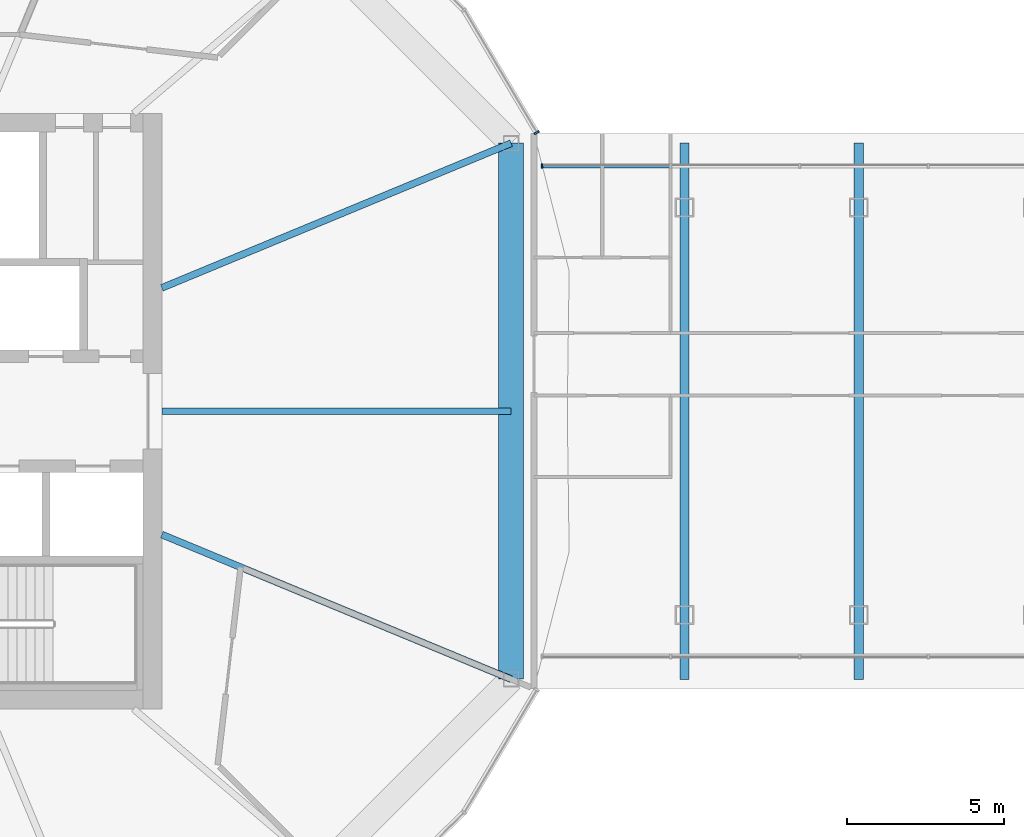
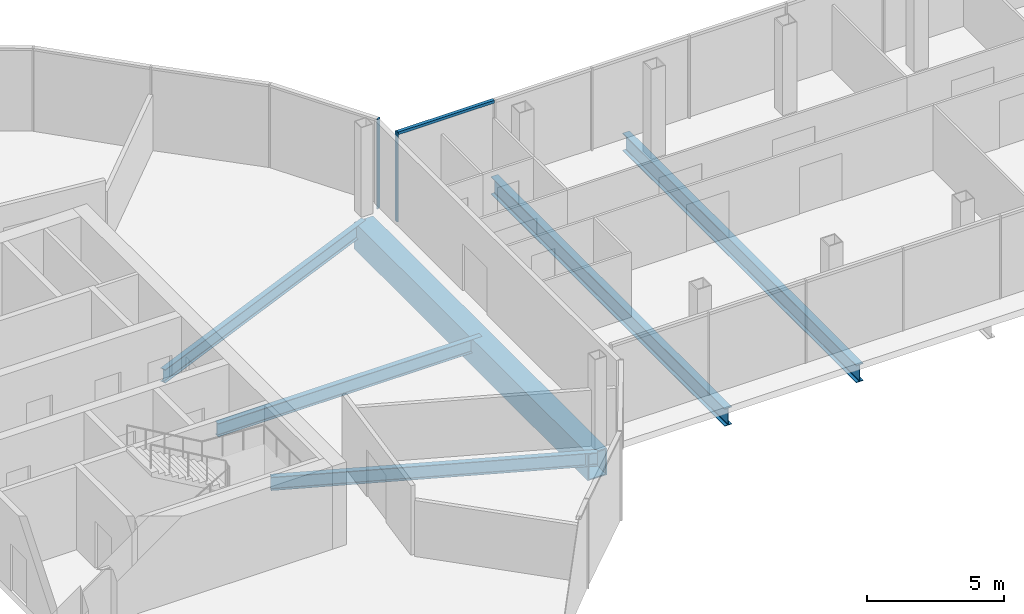
# One storey, part 7 of 25: 6 beams, 3 members, 2 elements without a shape of their own.
"""IFC4 building model written with IfcOpenShell, lengths in metres."""

from ifc_helpers import new_model, si_unit, direction, frame, origin, origin_2d, place, context, subcontext, project, spatial, rectangle, hollow_rectangle, i_section, extrude, material, material_profile, profile_set, type_object, element, aggregate, save


model = new_model("IFC4")

# Units and contexts
model_context = context("Model", 3, precision=1e-05, world=origin(), true_north=direction((0.0, 1.0)))
body_context = subcontext(model_context, "Body", "Model", "MODEL_VIEW")
ifc_project = project(units=[si_unit("LENGTHUNIT", "METRE"), si_unit("AREAUNIT", "SQUARE_METRE"), si_unit("VOLUMEUNIT", "CUBIC_METRE"), si_unit("PLANEANGLEUNIT", "RADIAN"), si_unit("MASSUNIT", "GRAM", prefix="KILO")], contexts=[model_context])

# Site, building, storey
site_placement = place(None, origin())
site = spatial("IfcSite", under=ifc_project, at=site_placement, CompositionType="ELEMENT")
building_placement = place(site_placement, origin())
building = spatial("IfcBuilding", under=site, at=building_placement, Name="Ogive Gate Towers", CompositionType="ELEMENT")
storey_placement = place(building_placement, frame((0.0, 0.0, 152.800048828125)))
storey = spatial("IfcBuildingStorey", under=building, at=storey_placement, Name="L36", CompositionType="ELEMENT", Elevation=152.800048828125)

# Beams
ifc_material_1 = material(Name="Steel SM460", Category="steel")
ifc_material_profile_1 = material_profile(ifc_material_1, i_section(OverallWidth=0.300048828125, OverallDepth=0.7900390625, WebThickness=0.014892578125, FlangeThickness=0.028076171875, FilletRadius=0.030029296875, at=origin_2d()), Name="HE 800 A")
ifc_profile_set_1 = profile_set([ifc_material_profile_1], Name="Steel SM460")
beam_type_1 = type_object("IfcBeamType", Name="Block floor beam HE 800 A", PredefinedType="BEAM", material=ifc_profile_set_1)
for number, where, z_axis, x_axis, name in (
    (1, (-9.83056640625, -8.551513671875, -0.695068359375), (0.0, 1.0, 0.0), (-1.0, 0.0, 0.0), "BR/L36/SBM001"),
    (2, (-4.27392578125, -8.551513671875, -0.695068359375), (0.0, 1.0, 0.0), (-1.0, 0.0, 0.0), "BR/L36/SBM002"),
):
    element("IfcBeam", number, at=place(storey_placement, frame(where, z_axis=z_axis, x_axis=x_axis)), inside=storey, type_object=beam_type_1, Name=name, PredefinedType="BEAM", context=body_context, shape_type="SweptSolid", body=[
        extrude(i_section(OverallWidth=0.300048828125, OverallDepth=0.7900390625, WebThickness=0.014892578125, FlangeThickness=0.028076171875, FilletRadius=0.030029296875, at=origin_2d()), origin(), (0.0, 0.0, 1.0), 17.10302734375),
    ])
ifc_material_profile_2 = material_profile(ifc_material_1, hollow_rectangle(XDim=0.800048828125, YDim=1.199951171875, WallThickness=0.050048828125, at=origin_2d()), Name="BX 1200x800x50")
ifc_profile_set_2 = profile_set([ifc_material_profile_2], Name="Steel SM460")
beam_type_2 = type_object("IfcBeamType", Name="Edge girder BX 1200x800x50", PredefinedType="BEAM", material=ifc_profile_set_2)
beam_1_placement = place(storey_placement, frame((-15.360595703125, -8.549072265625, -0.900146484375), z_axis=(0.0, 1.0, 0.0), x_axis=(-1.0, 0.0, 0.0)))
element("IfcBeam", 3, at=beam_1_placement, inside=storey, type_object=beam_type_2, Name="T1/L36/SBM020", PredefinedType="BEAM", context=body_context, shape_type="SweptSolid", body=[
    extrude(hollow_rectangle(XDim=0.800048828125, YDim=1.199951171875, WallThickness=0.050048828125, at=origin_2d()), origin(), (0.0, 0.0, 1.0), 17.09814453125),
])

# Curtain wall, members
ifc_material_2 = material(Name="Pale metal aluminium", Category="aluminium")
curtain_wall_type_1 = type_object("IfcCurtainWallType", Name="Gate block facade", PredefinedType="NOTDEFINED", material=ifc_material_2)
curtain_wall_1_placement = place(storey_placement, origin())
curtain_wall_1 = element("IfcCurtainWall", 4, at=curtain_wall_1_placement, inside=storey, type_object=curtain_wall_type_1, Name="CW3 BR ECW02", PredefinedType="NOTDEFINED")
ifc_material_profile_3 = material_profile(ifc_material_2, rectangle(XDim=0.139892578125, YDim=0.06005859375, at=origin_2d()), Name="60 x 140 aluminium box")
ifc_profile_set_3 = profile_set([ifc_material_profile_3], Name="Pale metal aluminium")
member_type_1 = type_object("IfcMemberType", Name="Gate block facade mullion 60 x 140", PredefinedType="MULLION", material=ifc_profile_set_3)
member_1_placement = place(storey_placement, frame((-14.374755859375, 7.821533203125, -0.300048828125), z_axis=(0.0, 0.0, 1.0), x_axis=(0.0, 1.0, 0.0)))
member_1 = element("IfcMember", 5, at=member_1_placement, type_object=member_type_1, Name="CW3 mullion", PredefinedType="MULLION", context=body_context, shape_type="SweptSolid", body=[
    extrude(rectangle(XDim=0.139892578125, YDim=0.06005859375, at=origin_2d()), origin(), (0.0, 0.0, 1.0), 4.0),
])
ifc_material_profile_4 = material_profile(ifc_material_2, rectangle(XDim=0.139892578125, YDim=0.1201171875, at=origin_2d()), Name="120 x 140 aluminium box")
ifc_profile_set_4 = profile_set([ifc_material_profile_4], Name="Pale metal aluminium")
member_type_2 = type_object("IfcMemberType", Name="Gate block facade transom 120 x 140", PredefinedType="USERDEFINED", material=ifc_profile_set_4)
member_2_placement = place(storey_placement, frame((-10.297607421875, 7.821533203125, 3.639892578125), z_axis=(-1.0, 0.0, 0.0), x_axis=(0.0, -1.0, 0.0)))
member_2 = element("IfcMember", 6, at=member_2_placement, type_object=member_type_2, Name="CW3 transom", ObjectType="TRANSOM", PredefinedType="USERDEFINED", context=body_context, shape_type="SweptSolid", body=[
    extrude(rectangle(XDim=0.139892578125, YDim=0.1201171875, at=origin_2d()), origin(), (0.0, 0.0, 1.0), 4.047119140625),
])
aggregate(curtain_wall_1, [member_1, member_2])

# Beams
ifc_material_3 = material(Name="Steel SM355", Category="steel")
ifc_material_profile_5 = material_profile(ifc_material_3, i_section(OverallWidth=0.219970703125, OverallDepth=0.60009765625, WebThickness=0.011962890625, FlangeThickness=0.01904296875, FilletRadius=0.02392578125, at=origin_2d()), Name="IPE 600")
ifc_profile_set_5 = profile_set([ifc_material_profile_5], Name="Steel SM355")
beam_type_3 = type_object("IfcBeamType", Name="Radial floor beam IPE 600", PredefinedType="BEAM", material=ifc_profile_set_5)
beam_2_placement = place(storey_placement, frame((-26.5, -3.93505859375, -0.60009765625), z_axis=(0.923881839184, -0.382677863518, 0.0), x_axis=(0.382677863518, 0.923881839184, 0.0)))
element("IfcBeam", 7, at=beam_2_placement, inside=storey, type_object=beam_type_3, Name="T1/L36/SBM007", PredefinedType="BEAM", context=body_context, shape_type="SweptSolid", body=[
    extrude(i_section(OverallWidth=0.219970703125, OverallDepth=0.60009765625, WebThickness=0.011962890625, FlangeThickness=0.01904296875, FilletRadius=0.02392578125, at=origin_2d()), origin(), (0.0, 0.0, 1.0), 12.05712890625),
])
beam_3_placement = place(storey_placement, frame((-26.5, 0.0, -0.60009765625), z_axis=(1.0, 0.0, 0.0), x_axis=(0.0, 1.0, 0.0)))
element("IfcBeam", 8, at=beam_3_placement, inside=storey, type_object=beam_type_3, Name="T1/L36/SBM008", PredefinedType="BEAM", context=body_context, shape_type="SweptSolid", body=[
    extrude(i_section(OverallWidth=0.219970703125, OverallDepth=0.60009765625, WebThickness=0.011962890625, FlangeThickness=0.01904296875, FilletRadius=0.02392578125, at=origin_2d()), origin(), (0.0, 0.0, 1.0), 11.139404296875),
])
beam_4_placement = place(storey_placement, frame((-26.5, 3.93505859375, -0.60009765625), z_axis=(0.923881839184, 0.382677863518, 0.0), x_axis=(-0.382677863518, 0.923881839184, 0.0)))
element("IfcBeam", 9, at=beam_4_placement, inside=storey, type_object=beam_type_3, Name="T1/L36/SBM009", PredefinedType="BEAM", context=body_context, shape_type="SweptSolid", body=[
    extrude(i_section(OverallWidth=0.219970703125, OverallDepth=0.60009765625, WebThickness=0.011962890625, FlangeThickness=0.01904296875, FilletRadius=0.02392578125, at=origin_2d()), origin(), (0.0, 0.0, 1.0), 12.05712890625),
])

# Curtain wall, member
curtain_wall_type_2 = type_object("IfcCurtainWallType", Name="Tower unitised wall, high zone", PredefinedType="NOTDEFINED", material=ifc_material_2)
curtain_wall_2_placement = place(storey_placement, origin())
curtain_wall_2 = element("IfcCurtainWall", 10, at=curtain_wall_2_placement, inside=storey, type_object=curtain_wall_type_2, Name="CW2 T1 ECW01", PredefinedType="NOTDEFINED")
ifc_material_profile_6 = material_profile(ifc_material_2, rectangle(XDim=0.179931640625, YDim=0.06005859375, at=origin_2d()), Name="60 x 180 aluminium box")
ifc_profile_set_6 = profile_set([ifc_material_profile_6], Name="Pale metal aluminium")
member_type_3 = type_object("IfcMemberType", Name="Tower unitised wall, high zone mullion 60 x 180", PredefinedType="MULLION", material=ifc_profile_set_6)
member_3_placement = place(storey_placement, frame((-14.5458984375, 8.885009765625, -0.300048828125), z_axis=(0.0, 0.0, 1.0), x_axis=(0.860306374302, 0.509777345844, 0.0)))
member_3 = element("IfcMember", 11, at=member_3_placement, type_object=member_type_3, Name="CW2 mullion", PredefinedType="MULLION", context=body_context, shape_type="SweptSolid", body=[
    extrude(rectangle(XDim=0.179931640625, YDim=0.06005859375, at=origin_2d()), origin(), (0.0, 0.0, 1.0), 4.0),
])
aggregate(curtain_wall_2, [member_3])

save(model, "model.ifc")
